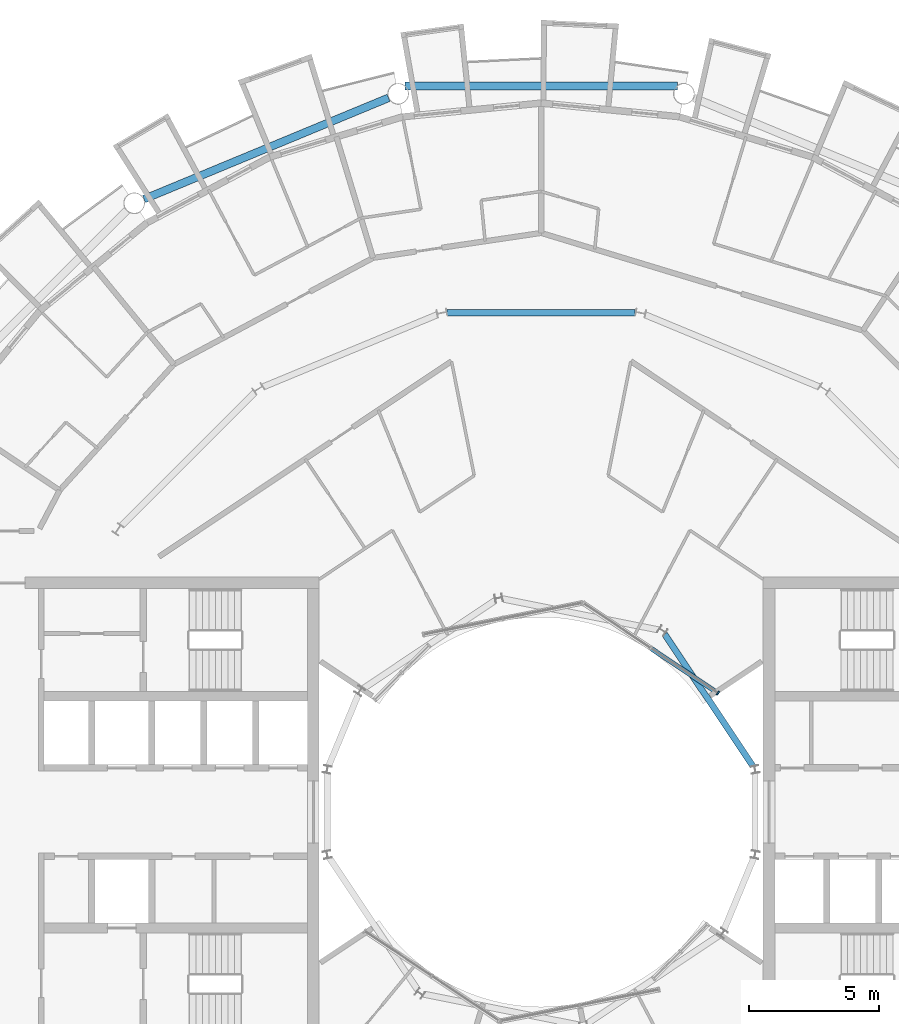
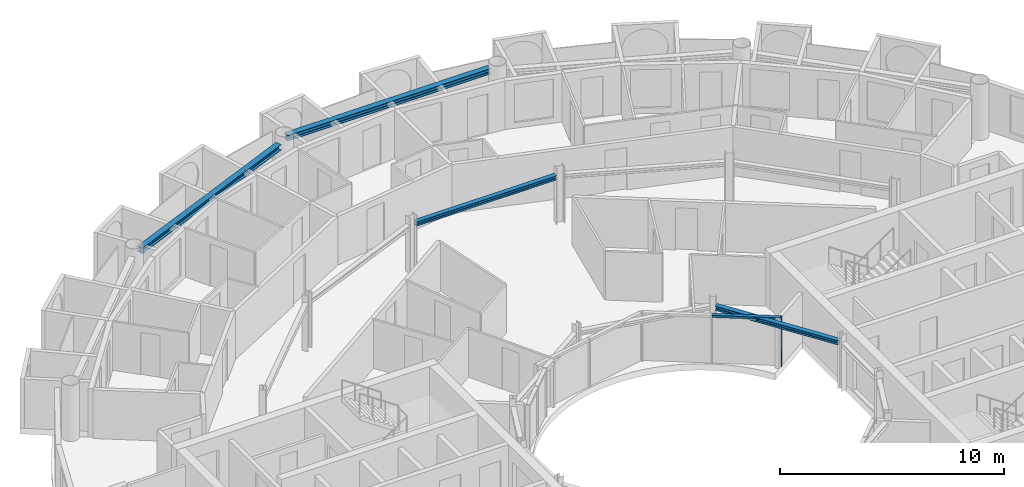
# One storey, part 10 of 28: 4 beams, 2 members, 1 element without a shape of its own.
"""IFC4 building model written with IfcOpenShell, lengths in metres."""

from ifc_helpers import new_model, si_unit, direction, frame, origin, origin_2d, place, context, subcontext, project, spatial, rectangle, i_section, extrude, material, layer, layer_set, material_profile, profile_set, type_object, element, aggregate, save


model = new_model("IFC4")

# Units and contexts
model_context = context("Model", 3, precision=1e-05, world=origin(), true_north=direction((0.0, 1.0)))
body_context = subcontext(model_context, "Body", "Model", "MODEL_VIEW")
ifc_project = project(units=[si_unit("LENGTHUNIT", "METRE"), si_unit("AREAUNIT", "SQUARE_METRE"), si_unit("VOLUMEUNIT", "CUBIC_METRE"), si_unit("PLANEANGLEUNIT", "RADIAN"), si_unit("MASSUNIT", "GRAM", prefix="KILO")], contexts=[model_context])

# Site, building, storey
site_placement = place(None, origin())
site = spatial("IfcSite", under=ifc_project, at=site_placement, CompositionType="ELEMENT")
building_placement = place(site_placement, origin())
building = spatial("IfcBuilding", under=site, at=building_placement, Name="Maasbend Ring Residences", CompositionType="ELEMENT")
storey_placement = place(building_placement, frame((0.0, 0.0, 218.800048828125)))
storey = spatial("IfcBuildingStorey", under=building, at=storey_placement, Name="L63", CompositionType="ELEMENT", Elevation=218.800048828125)

# Curtain wall, members
ifc_material_1 = material(Name="Aluminium and clear glass", Category="aluminium")
ifc_layer = layer(ifc_material_1, 0.179931640625)
ifc_layer_set = layer_set([ifc_layer], Name="CW-W")
curtain_wall_type = type_object("IfcCurtainWallType", Name="CW-W", PredefinedType="NOTDEFINED", material=ifc_layer_set)
curtain_wall_placement = place(storey_placement, origin())
curtain_wall = element("IfcCurtainWall", 1, at=curtain_wall_placement, inside=storey, type_object=curtain_wall_type, Name="Well curtain wall N1", PredefinedType="NOTDEFINED")
ifc_material_2 = material(Name="Aluminium 6063-T6", Category="aluminium")
ifc_material_profile_1 = material_profile(ifc_material_2, rectangle(XDim=0.179931640625, YDim=0.06005859375, at=origin_2d()), Name="AL 180x60")
ifc_profile_set_1 = profile_set([ifc_material_profile_1], Name="Aluminium 6063-T6")
member_type_1 = type_object("IfcMemberType", Name="CWM-W", PredefinedType="MULLION", material=ifc_profile_set_1)
member_1_placement = place(storey_placement, frame((6.805908203125, 4.580810546875, 0.0), z_axis=(0.0, 0.0, 1.0), x_axis=(-0.55557023302, -0.831469612303, 0.0)))
member_1 = element("IfcMember", 2, at=member_1_placement, type_object=member_type_1, Name="Mullion well face", PredefinedType="MULLION", context=body_context, shape_type="SweptSolid", body=[
    extrude(rectangle(XDim=0.179931640625, YDim=0.06005859375, at=origin_2d()), origin(), (0.0, 0.0, 1.0), 2.64990234375),
])
ifc_material_3 = material(Name="Aluminium 6063-T6", Category="aluminium")
ifc_material_profile_2 = material_profile(ifc_material_3, rectangle(XDim=0.179931640625, YDim=0.1201171875, at=origin_2d()), Name="AL 180x120")
ifc_profile_set_2 = profile_set([ifc_material_profile_2], Name="Aluminium 6063-T6")
member_type_2 = type_object("IfcMemberType", Name="CWT-W", PredefinedType="USERDEFINED", material=ifc_profile_set_2)
member_2_placement = place(storey_placement, frame((6.781005859375, 4.59765625, 2.58984375), z_axis=(-0.831496422459, 0.555530106689, 0.0), x_axis=(-0.555530106689, -0.831496422459, 0.0)))
member_2 = element("IfcMember", 3, at=member_2_placement, type_object=member_type_2, Name="Transom well face", ObjectType="TRANSOM", PredefinedType="USERDEFINED", context=body_context, shape_type="SweptSolid", body=[
    extrude(rectangle(XDim=0.179931640625, YDim=0.1201171875, at=origin_2d()), origin(), (0.0, 0.0, 1.0), 3.053955078125),
])
aggregate(curtain_wall, [member_1, member_2])

# Beams
ifc_material_4 = material(Name="Steel S355J2", Category="steel")
ifc_material_profile_3 = material_profile(ifc_material_4, i_section(OverallWidth=0.239990234375, OverallDepth=0.22998046875, WebThickness=0.007568359375, FlangeThickness=0.011962890625, FilletRadius=0.02099609375, at=origin_2d()), Name="HEA 240")
ifc_profile_set_3 = profile_set([ifc_material_profile_3], Name="Steel S355J2")
beam_type_1 = type_object("IfcBeamType", Name="Corridor ring beam HEA 240", PredefinedType="BEAM", material=ifc_profile_set_3)
beam_1_placement = place(storey_placement, frame((3.619873046875, 19.223388671875, 2.534912109375), z_axis=(-1.0, 0.0, 0.0), x_axis=(0.0, -1.0, 0.0)))
element("IfcBeam", 4, at=beam_1_placement, inside=storey, type_object=beam_type_1, Name="Corridor ring beam", PredefinedType="BEAM", context=body_context, shape_type="SweptSolid", body=[
    extrude(i_section(OverallWidth=0.239990234375, OverallDepth=0.22998046875, WebThickness=0.007568359375, FlangeThickness=0.011962890625, FilletRadius=0.02099609375, at=origin_2d()), origin(), (0.0, 0.0, 1.0), 7.23974609375),
])
ifc_material_5 = material(Name="Steel S355J2", Category="steel")
ifc_material_profile_4 = material_profile(ifc_material_5, i_section(OverallWidth=0.300048828125, OverallDepth=0.300048828125, WebThickness=0.010986328125, FlangeThickness=0.01904296875, FilletRadius=0.027099609375, at=origin_2d()), Name="HEB 300")
ifc_profile_set_4 = profile_set([ifc_material_profile_4], Name="Steel S355J2")
beam_type_2 = type_object("IfcBeamType", Name="Spandrel ring beam HEB 300", PredefinedType="SPANDREL", material=ifc_profile_set_4)
beam_2_placement = place(storey_placement, frame((5.2451171875, 27.9580078125, 2.5), z_axis=(-1.0, 0.0, 0.0), x_axis=(0.0, -1.0, 0.0)))
element("IfcBeam", 5, at=beam_2_placement, inside=storey, type_object=beam_type_2, Name="Spandrel ring beam", PredefinedType="SPANDREL", context=body_context, shape_type="SweptSolid", body=[
    extrude(i_section(OverallWidth=0.300048828125, OverallDepth=0.300048828125, WebThickness=0.010986328125, FlangeThickness=0.01904296875, FilletRadius=0.027099609375, at=origin_2d()), origin(), (0.0, 0.0, 1.0), 10.490234375),
])
beam_3_placement = place(storey_placement, frame((-5.877197265625, 27.50244140625, 2.5), z_axis=(-0.923883676188, -0.382673428492, 0.0), x_axis=(0.382673428492, -0.923883676188, 0.0)))
element("IfcBeam", 6, at=beam_3_placement, inside=storey, type_object=beam_type_2, Name="Spandrel ring beam", PredefinedType="SPANDREL", context=body_context, shape_type="SweptSolid", body=[
    extrude(i_section(OverallWidth=0.300048828125, OverallDepth=0.300048828125, WebThickness=0.010986328125, FlangeThickness=0.01904296875, FilletRadius=0.027099609375, at=origin_2d()), origin(), (0.0, 0.0, 1.0), 10.18994140625),
])
ifc_material_6 = material(Name="Steel S355J2", Category="steel")
ifc_material_profile_5 = material_profile(ifc_material_6, i_section(OverallWidth=0.239990234375, OverallDepth=0.22998046875, WebThickness=0.007568359375, FlangeThickness=0.011962890625, FilletRadius=0.02099609375, at=origin_2d()), Name="HEA 240")
ifc_profile_set_5 = profile_set([ifc_material_profile_5], Name="Steel S355J2")
beam_type_3 = type_object("IfcBeamType", Name="Well edge beam HEA 240", PredefinedType="BEAM", material=ifc_profile_set_5)
beam_4_placement = place(storey_placement, frame((8.1513671875, 1.769287109375, 2.534912109375), z_axis=(-0.555584356119, 0.831460175376, 0.0), x_axis=(-0.831460175376, -0.555584356119, 0.0)))
element("IfcBeam", 7, at=beam_4_placement, inside=storey, type_object=beam_type_3, Name="Well edge beam", PredefinedType="BEAM", context=body_context, shape_type="SweptSolid", body=[
    extrude(i_section(OverallWidth=0.239990234375, OverallDepth=0.22998046875, WebThickness=0.007568359375, FlangeThickness=0.011962890625, FilletRadius=0.02099609375, at=origin_2d()), origin(), (0.0, 0.0, 1.0), 6.115234375),
])

save(model, "model.ifc")
